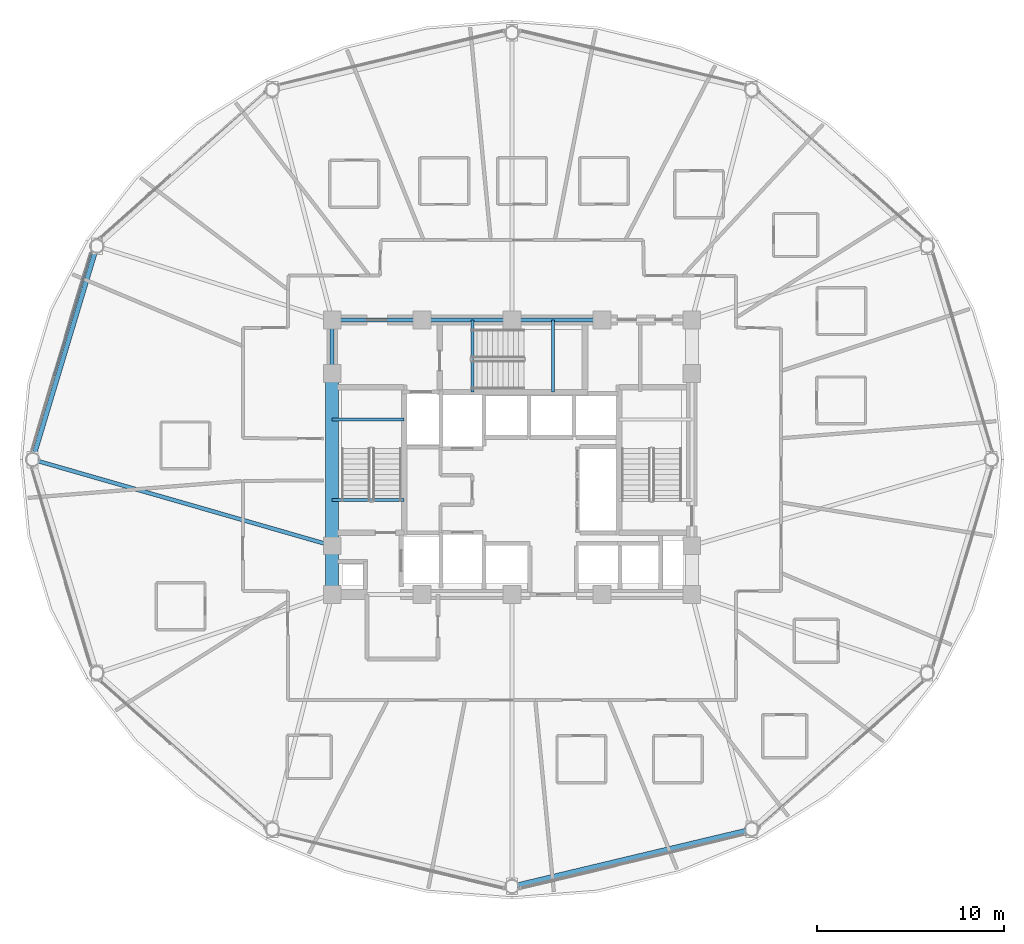
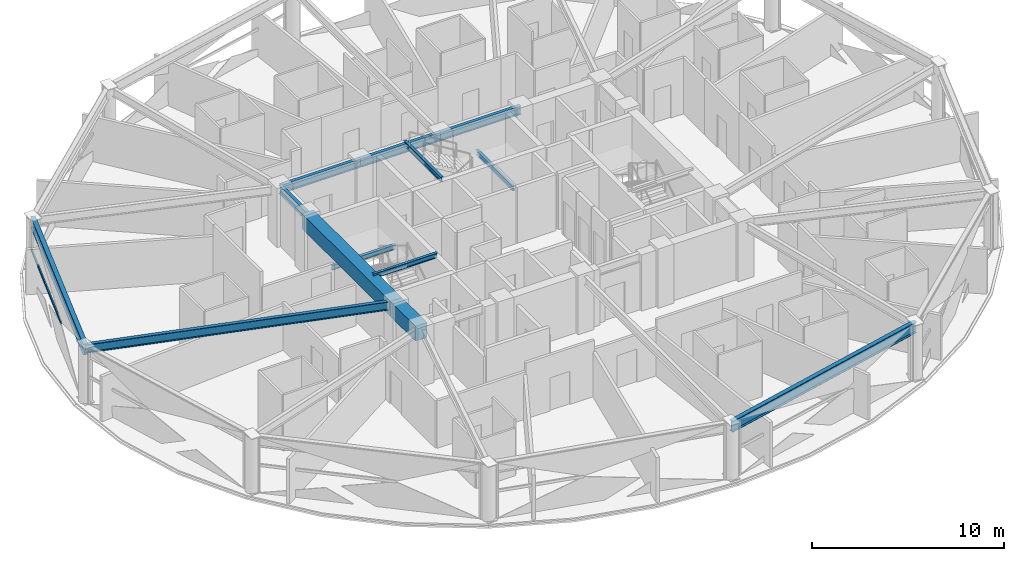
# One storey, part 8 of 32: 13 beams, 1 member, 1 element without a shape of its own.
"""IFC4 building model written with IfcOpenShell, lengths in metres."""

from ifc_helpers import new_model, si_unit, direction, frame, origin, origin_2d, place, context, subcontext, project, spatial, rectangle, hollow_rectangle, i_section, extrude, material, layer, layer_set, material_profile, profile_set, type_object, element, aggregate, save


model = new_model("IFC4")

# Units and contexts
model_context = context("Model", 3, precision=1e-05, world=origin(), true_north=direction((0.0, 1.0)))
body_context = subcontext(model_context, "Body", "Model", "MODEL_VIEW")
ifc_project = project(units=[si_unit("LENGTHUNIT", "METRE"), si_unit("AREAUNIT", "SQUARE_METRE"), si_unit("VOLUMEUNIT", "CUBIC_METRE"), si_unit("PLANEANGLEUNIT", "RADIAN"), si_unit("MASSUNIT", "GRAM", prefix="KILO")], contexts=[model_context])

# Site, building, storey
site_placement = place(None, origin())
site = spatial("IfcSite", under=ifc_project, at=site_placement, CompositionType="ELEMENT")
building_placement = place(site_placement, origin())
building = spatial("IfcBuilding", under=site, at=building_placement, Name="Vantalir Tower", CompositionType="ELEMENT")
storey_placement = place(building_placement, frame((0.0, 0.0, 108.449951171875)))
storey = spatial("IfcBuildingStorey", under=building, at=storey_placement, Name="L26", CompositionType="ELEMENT", Elevation=108.449951171875)

# Beams
ifc_material_1 = material(Name="Concrete C60/75", Category="concrete")
ifc_material_profile_1 = material_profile(ifc_material_1, rectangle(XDim=0.699951171875, YDim=0.949951171875, at=origin_2d()), Name="Concrete C60/75")
ifc_profile_set_1 = profile_set([ifc_material_profile_1], Name="Concrete C60/75")
beam_type_1 = type_object("IfcBeamType", Name="BM-CB-700x950", PredefinedType="USERDEFINED", material=ifc_profile_set_1)
beam_1_placement = place(storey_placement, frame((21.89990234375, 29.60009765625, 3.094970703125), z_axis=(0.0, -1.0, 0.0), x_axis=(1.0, 0.0, 0.0)))
element("IfcBeam", 1, at=beam_1_placement, inside=storey, type_object=beam_type_1, Name="L26 Core Coupling Girder 13", ObjectType="GIRDER", PredefinedType="USERDEFINED", context=body_context, shape_type="SweptSolid", body=[
    extrude(rectangle(XDim=0.699951171875, YDim=0.949951171875, at=origin_2d()), origin(), (0.0, 0.0, 1.0), 9.2001953125),
])
beam_2_placement = place(storey_placement, frame((21.89990234375, 20.39990234375, 3.094970703125), z_axis=(0.0, -1.0, 0.0), x_axis=(1.0, 0.0, 0.0)))
element("IfcBeam", 2, at=beam_2_placement, inside=storey, type_object=beam_type_1, Name="L26 Core Coupling Girder 14", ObjectType="GIRDER", PredefinedType="USERDEFINED", context=body_context, shape_type="SweptSolid", body=[
    extrude(rectangle(XDim=0.699951171875, YDim=0.949951171875, at=origin_2d()), origin(), (0.0, 0.0, 1.0), 2.599853515625),
])
ifc_material_2 = material(Name="Steel S355", Category="steel")
ifc_material_profile_2 = material_profile(ifc_material_2, i_section(OverallWidth=0.166015625, OverallDepth=0.306884765625, WebThickness=0.006591796875, FlangeThickness=0.01171875, at=origin_2d()), Name="Steel S355")
ifc_profile_set_2 = profile_set([ifc_material_profile_2], Name="Steel S355")
beam_type_2 = type_object("IfcBeamType", Name="BM-JS-305x165", PredefinedType="JOIST", material=ifc_profile_set_2)
for number, where, z_axis, x_axis, name in (
    (3, (21.89990234375, 22.8349609375, 3.59716796875), (1.0, 0.0, 0.0), (0.0, 1.0, 0.0), "L27 Stair ST1 Well Nosing Trimmer Beam"),
    (4, (21.89990234375, 27.14501953125, 1.52197265625), (1.0, 0.0, 0.0), (0.0, 1.0, 0.0), "L26 Stair ST1 Half-Landing Support Beam"),
):
    element("IfcBeam", number, at=place(storey_placement, frame(where, z_axis=z_axis, x_axis=x_axis)), inside=storey, type_object=beam_type_2, Name=name, PredefinedType="JOIST", context=body_context, shape_type="SweptSolid", body=[
        extrude(i_section(OverallWidth=0.166015625, OverallDepth=0.306884765625, WebThickness=0.006591796875, FlangeThickness=0.01171875, at=origin_2d()), origin(), (0.0, 0.0, 1.0), 3.840087890625),
    ])
for number, where, z_axis, x_axis, name in (
    (5, (29.385009765625, 28.60009765625, 3.59716796875), (0.0, 1.0, 0.0), (-1.0, 0.0, 0.0), "L27 Stair ST3 Well Nosing Trimmer Beam"),
    (6, (33.695068359375, 28.60009765625, 1.52197265625), (0.0, 1.0, 0.0), (-1.0, 0.0, 0.0), "L26 Stair ST3 Half-Landing Support Beam"),
):
    element("IfcBeam", number, at=place(storey_placement, frame(where, z_axis=z_axis, x_axis=x_axis)), inside=storey, type_object=beam_type_2, Name=name, PredefinedType="JOIST", context=body_context, shape_type="SweptSolid", body=[
        extrude(i_section(OverallWidth=0.166015625, OverallDepth=0.306884765625, WebThickness=0.006591796875, FlangeThickness=0.01171875, at=origin_2d()), origin(), (0.0, 0.0, 1.0), 3.849853515625),
    ])
ifc_material_profile_3 = material_profile(ifc_material_2, i_section(OverallWidth=0.2109375, OverallDepth=0.5390625, WebThickness=0.01171875, FlangeThickness=0.018798828125, at=origin_2d()), Name="Steel S355")
ifc_profile_set_3 = profile_set([ifc_material_profile_3], Name="Steel S355")
beam_type_3 = type_object("IfcBeamType", Name="BM-RB-533x210", PredefinedType="BEAM", material=ifc_profile_set_3)
for number, where, z_axis, x_axis, name in (
    (7, (36.300048828125, 32.449951171875, 3.300048828125), (-1.0, 0.0, 0.0), (0.0, -1.0, 0.0), "L26 Core Coupling Girder 09"),
    (8, (31.5, 32.449951171875, 3.300048828125), (-1.0, 0.0, 0.0), (0.0, -1.0, 0.0), "L26 Core Coupling Girder 10"),
    (9, (26.699951171875, 32.449951171875, 3.300048828125), (-1.0, 0.0, 0.0), (0.0, -1.0, 0.0), "L26 Core Coupling Girder 11"),
):
    element("IfcBeam", number, at=place(storey_placement, frame(where, z_axis=z_axis, x_axis=x_axis)), inside=storey, type_object=beam_type_3, Name=name, PredefinedType="BEAM", context=body_context, shape_type="SweptSolid", body=[
        extrude(i_section(OverallWidth=0.2109375, OverallDepth=0.5390625, WebThickness=0.01171875, FlangeThickness=0.018798828125, at=origin_2d()), origin(), (0.0, 0.0, 1.0), 4.800048828125),
    ])
beam_3_placement = place(storey_placement, frame((21.89990234375, 32.449951171875, 3.300048828125), z_axis=(0.0, -1.0, 0.0), x_axis=(1.0, 0.0, 0.0)))
element("IfcBeam", 10, at=beam_3_placement, inside=storey, type_object=beam_type_3, Name="L26 Core Coupling Girder 12", PredefinedType="BEAM", context=body_context, shape_type="SweptSolid", body=[
    extrude(i_section(OverallWidth=0.2109375, OverallDepth=0.5390625, WebThickness=0.01171875, FlangeThickness=0.018798828125, at=origin_2d()), origin(), (0.0, 0.0, 1.0), 2.849853515625),
])
beam_4_placement = place(storey_placement, frame((5.912109375, 25.0, 3.300048828125), z_axis=(0.961011705277, -0.276507689442, 0.0), x_axis=(0.276507689442, 0.961011705277, 0.0)))
element("IfcBeam", 11, at=beam_4_placement, inside=storey, type_object=beam_type_3, Name="L26 Radial Floor Beam 07", PredefinedType="BEAM", context=body_context, shape_type="SweptSolid", body=[
    extrude(i_section(OverallWidth=0.2109375, OverallDepth=0.5390625, WebThickness=0.01171875, FlangeThickness=0.018798828125, at=origin_2d()), origin(), (0.0, 0.0, 1.0), 16.636474609375),
])
ifc_material_3 = material(Name="Steel S460", Category="steel")
ifc_material_profile_4 = material_profile(ifc_material_3, i_section(OverallWidth=0.256103515625, OverallDepth=0.693115234375, WebThickness=0.014404296875, FlangeThickness=0.023681640625, at=origin_2d()), Name="Steel S460")
ifc_profile_set_4 = profile_set([ifc_material_profile_4], Name="Steel S460")
beam_type_4 = type_object("IfcBeamType", Name="BM-RG-686x254", PredefinedType="USERDEFINED", material=ifc_profile_set_4)
beam_5_placement = place(storey_placement, frame((9.340087890625, 36.39404296875, 3.22314453125), z_axis=(-0.288100770592, -0.95760009711, 0.0), x_axis=(0.95760009711, -0.288100770592, 0.0)))
element("IfcBeam", 12, at=beam_5_placement, inside=storey, type_object=beam_type_4, Name="L26 Circumferential Ring Girder 06", ObjectType="GIRDER", PredefinedType="USERDEFINED", context=body_context, shape_type="SweptSolid", body=[
    extrude(i_section(OverallWidth=0.256103515625, OverallDepth=0.693115234375, WebThickness=0.014404296875, FlangeThickness=0.023681640625, at=origin_2d()), origin(), (0.0, 0.0, 1.0), 11.8984375),
])
beam_6_placement = place(storey_placement, frame((31.5, 2.2119140625, 3.22314453125), z_axis=(0.972689585219, 0.232109824883, 0.0), x_axis=(-0.232109824883, 0.972689585219, 0.0)))
element("IfcBeam", 13, at=beam_6_placement, inside=storey, type_object=beam_type_4, Name="L26 Circumferential Ring Girder 10", ObjectType="GIRDER", PredefinedType="USERDEFINED", context=body_context, shape_type="SweptSolid", body=[
    extrude(i_section(OverallWidth=0.256103515625, OverallDepth=0.693115234375, WebThickness=0.014404296875, FlangeThickness=0.023681640625, at=origin_2d()), origin(), (0.0, 0.0, 1.0), 13.153076171875),
])

# Curtain wall, member
ifc_material_4 = material(Name="Champagne-silver PVDF aluminium and double-silver Low-E glass", Category="aluminium")
ifc_layer = layer(ifc_material_4, 0.199951171875)
ifc_layer_set = layer_set([ifc_layer], Name="Champagne-silver PVDF aluminium and double-silver Low-E glass")
curtain_wall_type = type_object("IfcCurtainWallType", Name="CW-DIAMOND-Z2", PredefinedType="USERDEFINED", material=ifc_layer_set)
curtain_wall_placement = place(storey_placement, origin())
curtain_wall = element("IfcCurtainWall", 14, at=curtain_wall_placement, inside=storey, type_object=curtain_wall_type, Name="L26 Quilted Pyramid-Diamond Curtain Wall S06", ObjectType="UNITISED CURTAIN WALL", PredefinedType="USERDEFINED")
ifc_material_5 = material(Name="Champagne-silver PVDF aluminium 6063-T6", Category="aluminium")
ifc_material_profile_5 = material_profile(ifc_material_5, hollow_rectangle(XDim=0.074951171875, YDim=0.159912109375, WallThickness=0.00390625, at=origin_2d()), Name="Champagne-silver PVDF aluminium 6063-T6")
ifc_profile_set_5 = profile_set([ifc_material_profile_5], Name="Champagne-silver PVDF aluminium 6063-T6")
member_type = type_object("IfcMemberType", Name="CWT-160x75", PredefinedType="USERDEFINED", material=ifc_profile_set_5)
member_placement = place(storey_placement, frame((9.049072265625, 36.068115234375, 1.78515625), z_axis=(-0.291191199966, -0.956664876047, 0.0), x_axis=(0.956664876047, -0.291191199966, 0.0)))
member = element("IfcMember", 15, at=member_placement, type_object=member_type, Name="CW-L26-S06 Pyramid Fold Ridge Transom", ObjectType="TRANSOM", PredefinedType="USERDEFINED", context=body_context, shape_type="SweptSolid", body=[
    extrude(hollow_rectangle(XDim=0.074951171875, YDim=0.159912109375, WallThickness=0.00390625, at=origin_2d()), origin(), (0.0, 0.0, 1.0), 6.89599609375),
])
aggregate(curtain_wall, [member])

save(model, "model.ifc")
